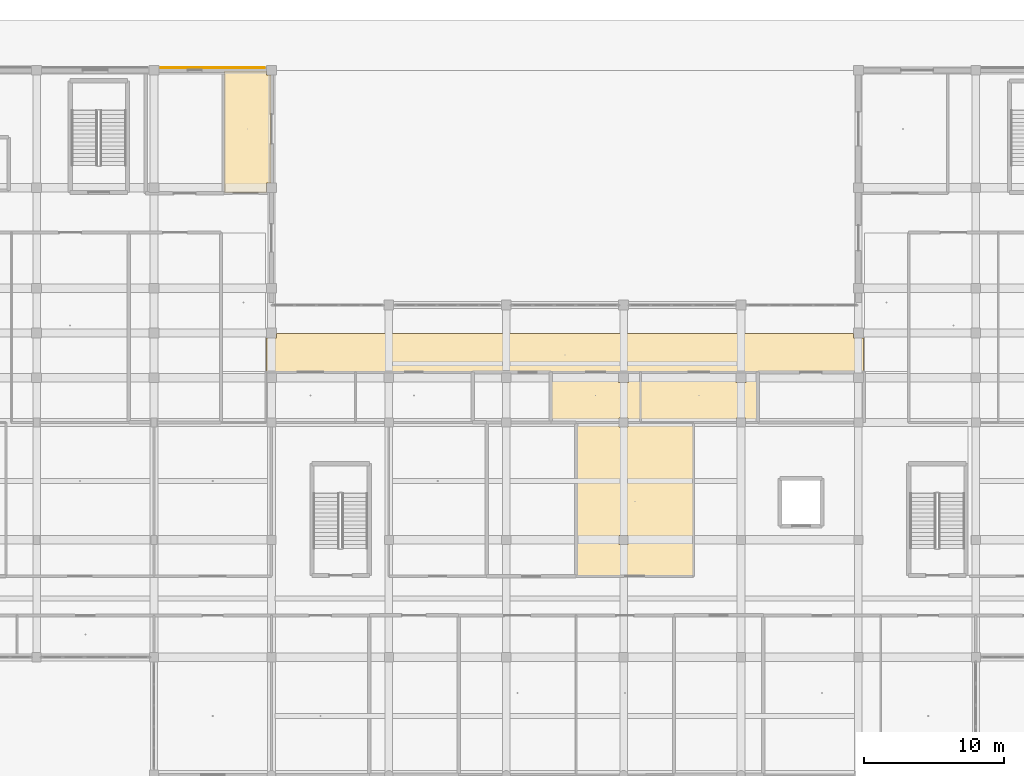
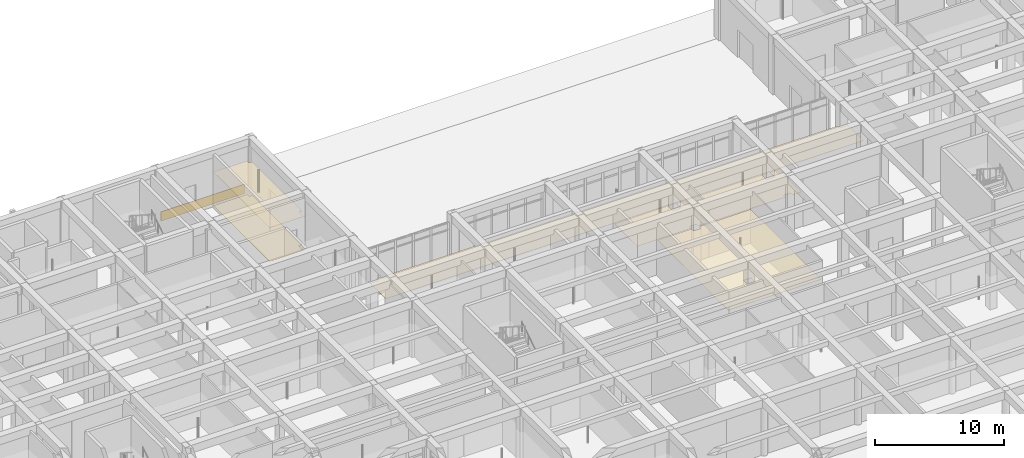
# One storey, part 157 of 167: 7 coverings.
"""IFC4 building model written with IfcOpenShell, lengths in metres."""

from ifc_helpers import new_model, si_unit, direction, frame, origin, origin_2d, place, context, subcontext, project, spatial, polyline, rectangle, outline, extrude, material, layer, layer_set, type_object, element, save


model = new_model("IFC4")

# Units and contexts
model_context = context("Model", 3, precision=1e-05, world=origin(), true_north=direction((0.0, 1.0)))
body_context = subcontext(model_context, "Body", "Model", "MODEL_VIEW")
ifc_project = project(units=[si_unit("LENGTHUNIT", "METRE"), si_unit("AREAUNIT", "SQUARE_METRE"), si_unit("VOLUMEUNIT", "CUBIC_METRE"), si_unit("PLANEANGLEUNIT", "RADIAN"), si_unit("MASSUNIT", "GRAM", prefix="KILO")], contexts=[model_context])

# Site, building, storey
site_placement = place(None, origin())
site = spatial("IfcSite", under=ifc_project, at=site_placement, CompositionType="ELEMENT")
building_placement = place(site_placement, origin())
building = spatial("IfcBuilding", under=site, at=building_placement, Name="Varncliffe General Hospital", CompositionType="ELEMENT")
storey_placement = place(building_placement, origin())
storey = spatial("IfcBuildingStorey", under=building, at=storey_placement, Name="L00", CompositionType="ELEMENT", Elevation=0.0)

# Coverings
ifc_material_1 = material(Name="Hygienic antimicrobial acoustic suspended ceiling tile", Category="gypsum")
ifc_layer_1 = layer(ifc_material_1, 0.02490234375)
ifc_layer_set_1 = layer_set([ifc_layer_1], Name="Hygienic antimicrobial acoustic suspended ceiling tile")
covering_type_1 = type_object("IfcCoveringType", Name="Antimicrobial Acoustic Suspended Ceiling CLG44", PredefinedType="CEILING", material=ifc_layer_set_1)
covering_1_placement = place(storey_placement, frame((0.0, 0.0, 3.175048828125)))
element("IfcCovering", 1, at=covering_1_placement, inside=storey, type_object=covering_type_1, Name="L00 North Link Concourse Corridor L00 Suspended Ceiling", PredefinedType="CEILING", context=body_context, shape_type="SweptSolid", body=[
    extrude(outline(polyline([(109.56005859375, 103.239990234375), (66.840087890625, 103.239990234375), (66.840087890625, 105.9599609375), (66.85009765625, 105.9599609375), (66.85009765625, 105.64990234375), (67.550048828125, 105.64990234375), (67.550048828125, 105.9599609375), (108.85009765625, 105.9599609375), (108.85009765625, 105.64990234375), (109.550048828125, 105.64990234375), (109.550048828125, 105.9599609375), (109.56005859375, 105.9599609375), (109.56005859375, 103.239990234375)])), origin(), (0.0, 0.0, 1.0), 0.02490234375),
])
covering_2_placement = place(storey_placement, frame((0.0, 0.0, 3.175048828125)))
element("IfcCovering", 2, at=covering_2_placement, inside=storey, type_object=covering_type_1, Name="L00 Diagnostic Fluoroscopy and X-Ray Suite 84 Suspended Ceiling", PredefinedType="CEILING", context=body_context, shape_type="SweptSolid", body=[
    extrude(outline(polyline([(97.360107421875, 99.56005859375), (97.360107421875, 88.639892578125), (89.0400390625, 88.639892578125), (89.0400390625, 99.56005859375), (92.074951171875, 99.56005859375), (92.074951171875, 99.27490234375), (92.72509765625, 99.27490234375), (92.72509765625, 99.56005859375), (97.360107421875, 99.56005859375)]), holes=[polyline([(92.72509765625, 90.875), (92.72509765625, 91.52490234375), (92.074951171875, 91.52490234375), (92.074951171875, 90.875), (92.72509765625, 90.875)])]), origin(), (0.0, 0.0, 1.0), 0.02490234375),
])
covering_3_placement = place(storey_placement, frame((0.0, 0.0, 3.175048828125)))
element("IfcCovering", 3, at=covering_3_placement, inside=storey, type_object=covering_type_1, Name="L00 Outpatient Phlebotomy and Pre-Admission Clinic 133 Suspended Ceiling", PredefinedType="CEILING", context=body_context, shape_type="SweptSolid", body=[
    extrude(outline(polyline([(63.840087890625, 116.0400390625), (63.840087890625, 124.760009765625), (66.85009765625, 124.760009765625), (66.85009765625, 124.449951171875), (67.159912109375, 124.449951171875), (67.159912109375, 116.75), (66.85009765625, 116.75), (66.85009765625, 116.050048828125), (67.159912109375, 116.050048828125), (67.159912109375, 116.0400390625), (63.840087890625, 116.0400390625)])), origin(), (0.0, 0.0, 1.0), 0.02490234375),
])
covering_4_placement = place(storey_placement, frame((0.0, 0.0, 3.175048828125)))
element("IfcCovering", 4, at=covering_4_placement, inside=storey, type_object=covering_type_1, Name="L00 Outpatient Phlebotomy and Pre-Admission Clinic 146 Suspended Ceiling", PredefinedType="CEILING", context=body_context, shape_type="SweptSolid", body=[
    extrude(outline(polyline([(87.239990234375, 99.639892578125), (87.239990234375, 103.159912109375), (93.56005859375, 103.159912109375), (93.56005859375, 99.639892578125), (92.72509765625, 99.639892578125), (92.72509765625, 99.925048828125), (92.074951171875, 99.925048828125), (92.074951171875, 99.639892578125), (87.239990234375, 99.639892578125)]), holes=[polyline([(92.75, 102.449951171875), (92.75, 103.14990234375), (92.050048828125, 103.14990234375), (92.050048828125, 102.449951171875), (92.75, 102.449951171875)])]), origin(), (0.0, 0.0, 1.0), 0.02490234375),
])
covering_5_placement = place(storey_placement, frame((0.0, 0.0, 3.175048828125)))
element("IfcCovering", 5, at=covering_5_placement, inside=storey, type_object=covering_type_1, Name="L00 Rehabilitation Ambulation Training Room 147 Suspended Ceiling", PredefinedType="CEILING", context=body_context, shape_type="SweptSolid", body=[
    extrude(outline(polyline([(93.639892578125, 99.639892578125), (93.639892578125, 103.159912109375), (101.9599609375, 103.159912109375), (101.9599609375, 99.639892578125), (101.125, 99.639892578125), (101.125, 99.925048828125), (100.47509765625, 99.925048828125), (100.47509765625, 99.639892578125), (93.639892578125, 99.639892578125)]), holes=[polyline([(101.14990234375, 102.449951171875), (101.14990234375, 103.14990234375), (100.449951171875, 103.14990234375), (100.449951171875, 102.449951171875), (101.14990234375, 102.449951171875)])]), origin(), (0.0, 0.0, 1.0), 0.02490234375),
])
ifc_material_2 = material(Name="Credit Valley buff limestone ashlar cladding", Category="masonry")
ifc_layer_2 = layer(ifc_material_2, 0.050048828125)
ifc_layer_set_2 = layer_set([ifc_layer_2], Name="Credit Valley buff limestone ashlar cladding")
covering_type_2 = type_object("IfcCoveringType", Name="Credit Valley Limestone Ashlar Plinth Cladding CLD17", PredefinedType="CLADDING", material=ifc_layer_set_2)
covering_6_placement = place(storey_placement, frame((63.0, 124.989990234375, 0.010009765625), z_axis=(0.0, 0.0, 1.0), x_axis=(1.0, 0.0, 0.0)))
element("IfcCovering", 6, at=covering_6_placement, inside=storey, type_object=covering_type_2, Name="L00 Limestone Base Cladding 14", PredefinedType="CLADDING", context=body_context, shape_type="SweptSolid", body=[
    extrude(rectangle(XDim=7.464111328125, YDim=0.050048828125, at=origin_2d()), origin(), (0.0, 0.0, 1.0), 0.8798828125),
])
ifc_material_3 = material(Name="Seamless welded hospital sheet linoleum and terrazzo flooring", Category="linoleum")
ifc_layer_3 = layer(ifc_material_3, 0.011962890625)
ifc_layer_set_3 = layer_set([ifc_layer_3], Name="Seamless welded hospital sheet linoleum and terrazzo flooring")
covering_type_3 = type_object("IfcCoveringType", Name="Seamless Hospital Linoleum Flooring FLR19", PredefinedType="FLOORING", material=ifc_layer_set_3)
covering_7_placement = place(storey_placement, origin())
element("IfcCovering", 7, at=covering_7_placement, inside=storey, type_object=covering_type_3, Name="L00 Outpatient Phlebotomy and Pre-Admission Clinic 133 Seamless Flooring", PredefinedType="FLOORING", context=body_context, shape_type="SweptSolid", body=[
    extrude(outline(polyline([(63.840087890625, 116.0400390625), (63.840087890625, 124.760009765625), (66.85009765625, 124.760009765625), (66.85009765625, 124.449951171875), (67.159912109375, 124.449951171875), (67.159912109375, 116.75), (66.85009765625, 116.75), (66.85009765625, 116.050048828125), (67.159912109375, 116.050048828125), (67.159912109375, 116.0400390625), (63.840087890625, 116.0400390625)])), origin(), (0.0, 0.0, 1.0), 0.011962890625),
])

save(model, "model.ifc")
